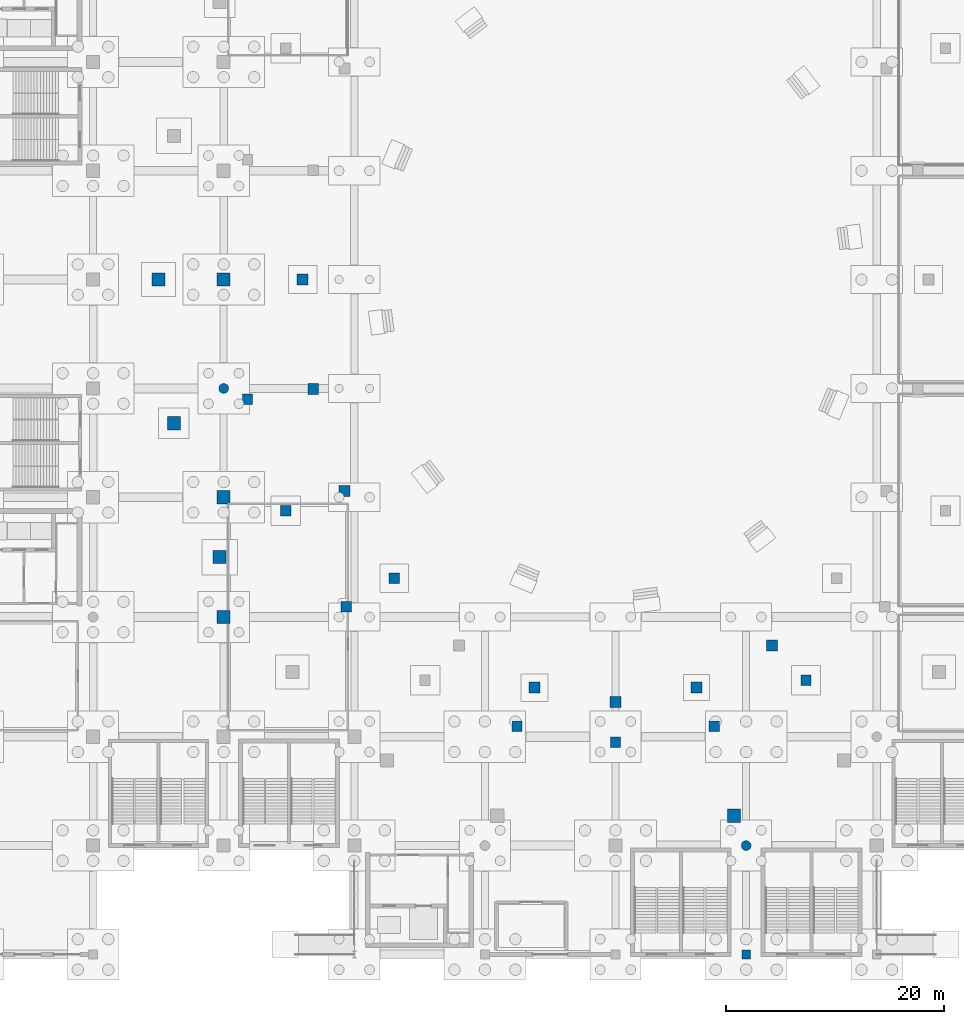
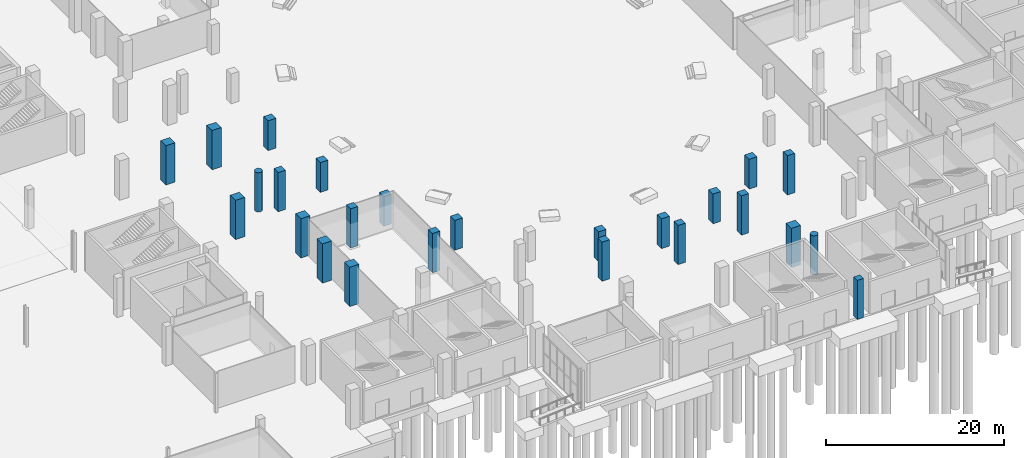
# One storey, part 15 of 70: 25 columns.
"""IFC4 building model written with IfcOpenShell, lengths in metres."""

from ifc_helpers import new_model, si_unit, direction, frame, origin, origin_2d, place, context, subcontext, project, spatial, rectangle, circle, extrude, material, material_profile, profile_set, type_object, element, save


model = new_model("IFC4")

# Units and contexts
model_context = context("Model", 3, precision=1e-05, world=origin(), true_north=direction((0.0, 1.0)))
body_context = subcontext(model_context, "Body", "Model", "MODEL_VIEW")
ifc_project = project(units=[si_unit("LENGTHUNIT", "METRE"), si_unit("AREAUNIT", "SQUARE_METRE"), si_unit("VOLUMEUNIT", "CUBIC_METRE"), si_unit("PLANEANGLEUNIT", "RADIAN"), si_unit("MASSUNIT", "GRAM", prefix="KILO")], contexts=[model_context])

# Site, building, storey
site_placement = place(None, origin())
site = spatial("IfcSite", under=ifc_project, at=site_placement, CompositionType="ELEMENT")
building_placement = place(site_placement, origin())
building = spatial("IfcBuilding", under=site, at=building_placement, Name="Brinegate Civic Arena", CompositionType="ELEMENT")
storey_placement = place(building_placement, origin())
storey = spatial("IfcBuildingStorey", under=building, at=storey_placement, Name="L00", CompositionType="ELEMENT", Elevation=0.0)

# Columns
ifc_material = material(Name="Concrete C50/60", Category="concrete")
ifc_material_profile_1 = material_profile(ifc_material, rectangle(XDim=1.199951171875, YDim=1.199951171875, at=origin_2d()), Name="RC1200X1200")
ifc_profile_set_1 = profile_set([ifc_material_profile_1], Name="Concrete C50/60")
column_type_1 = type_object("IfcColumnType", Name="COL-CC01-1200", PredefinedType="COLUMN", material=ifc_profile_set_1)
for number, where, z_axis, x_axis, name in (
    (1, (72.0, 31.0, 0.0), (0.0, 0.0, 1.0), (1.0, 0.0, 0.0), "Column COL-L00-7-D"),
    (2, (72.0, 42.0, 0.0), (0.0, 0.0, 1.0), (1.0, 0.0, 0.0), "Column COL-L00-7-E"),
    (3, (72.0, 62.0, 0.0), (0.0, 0.0, 1.0), (1.0, 0.0, 0.0), "Column COL-L00-7-G"),
    (4, (66.0, 62.0, 0.0), (0.0, 0.0, 1.0), (1.0, 0.0, 0.0), "Bowl Raker Column OUT-13-L00"),
    (5, (67.430908203125, 48.800048828125, 0.0), (0.0, 0.0, 1.0), (1.0, 0.0, 0.0), "Bowl Raker Column OUT-14-L00"),
    (6, (71.626953125, 36.5, 0.0), (0.0, 0.0, 1.0), (1.0, 0.0, 0.0), "Bowl Raker Column OUT-15-L00"),
    (7, (118.8701171875, 12.738037109375, 0.0), (0.0, 0.0, 1.0), (1.0, 0.0, 0.0), "Bowl Raker Column OUT-20-L00"),
):
    element("IfcColumn", number, at=place(storey_placement, frame(where, z_axis=z_axis, x_axis=x_axis)), inside=storey, type_object=column_type_1, Name=name, PredefinedType="COLUMN", context=body_context, shape_type="SweptSolid", body=[
        extrude(rectangle(XDim=1.199951171875, YDim=1.199951171875, at=origin_2d()), origin(), (0.0, 0.0, 1.0), 5.39990234375),
    ])
ifc_material_profile_2 = material_profile(ifc_material, rectangle(XDim=1.0, YDim=1.0, at=origin_2d()), Name="RC1000X1000")
ifc_profile_set_2 = profile_set([ifc_material_profile_2], Name="Concrete C50/60")
column_type_2 = type_object("IfcColumnType", Name="COL-CC03-1000", PredefinedType="COLUMN", material=ifc_profile_set_2)
for number, where, z_axis, x_axis, name in (
    (8, (79.25, 62.0, 0.0), (0.0, 0.0, 1.0), (1.0, 0.0, 0.0), "Bowl Raker Column MID-13"),
    (9, (80.22998046875, 51.955078125, 0.0), (0.0, 0.0, 1.0), (1.0, 0.0, 0.0), "Bowl Raker Column MID-14"),
    (10, (83.10205078125, 42.593994140625, 0.0), (0.0, 0.0, 1.0), (1.0, 0.0, 0.0), "Bowl Raker Column MID-15"),
    (11, (87.6708984375, 34.555908203125, 0.0), (0.0, 0.0, 1.0), (1.0, 0.0, 0.0), "Bowl Raker Column MID-16"),
    (12, (100.55908203125, 24.510009765625, 0.0), (0.0, 0.0, 1.0), (1.0, 0.0, 0.0), "Bowl Raker Column MID-18"),
    (13, (108.0, 23.18798828125, 0.0), (0.0, 0.0, 1.0), (1.0, 0.0, 0.0), "Bowl Raker Column MID-19"),
    (14, (115.44091796875, 24.510009765625, 0.0), (0.0, 0.0, 1.0), (1.0, 0.0, 0.0), "Bowl Raker Column MID-20"),
    (15, (122.375, 28.387939453125, 0.0), (0.0, 0.0, 1.0), (1.0, 0.0, 0.0), "Bowl Raker Column MID-21"),
):
    element("IfcColumn", number, at=place(storey_placement, frame(where, z_axis=z_axis, x_axis=x_axis)), inside=storey, type_object=column_type_2, Name=name, PredefinedType="COLUMN", context=body_context, shape_type="SweptSolid", body=[
        extrude(rectangle(XDim=1.0, YDim=1.0, at=origin_2d()), origin(), (0.0, 0.0, 1.0), 4.10009765625),
    ])
ifc_material_profile_3 = material_profile(ifc_material, rectangle(XDim=0.949951171875, YDim=0.949951171875, at=origin_2d()), Name="RC950X950")
ifc_profile_set_3 = profile_set([ifc_material_profile_3], Name="Concrete C50/60")
column_type_3 = type_object("IfcColumnType", Name="COL-CC04-950", PredefinedType="COLUMN", material=ifc_profile_set_3)
for number, where, z_axis, x_axis, name in (
    (16, (74.193115234375, 51.0, 0.0), (0.0, 0.0, 1.0), (1.0, 0.0, 0.0), "Upper Raker Inner Column UIN-14-L00"),
    (17, (77.68896484375, 40.75, 0.0), (0.0, 0.0, 1.0), (1.0, 0.0, 0.0), "Upper Raker Inner Column UIN-15-L00"),
    (18, (83.2509765625, 31.947998046875, 0.0), (0.0, 0.0, 1.0), (1.0, 0.0, 0.0), "Upper Raker Inner Column UIN-16-L00"),
    (19, (98.94091796875, 20.947998046875, 0.0), (0.0, 0.0, 1.0), (1.0, 0.0, 0.0), "Upper Raker Inner Column UIN-18-L00"),
    (20, (108.0, 19.5, 0.0), (0.0, 0.0, 1.0), (1.0, 0.0, 0.0), "Upper Raker Inner Column UIN-19-L00"),
    (21, (117.05908203125, 20.947998046875, 0.0), (0.0, 0.0, 1.0), (1.0, 0.0, 0.0), "Upper Raker Inner Column UIN-20-L00"),
    (22, (125.5, 25.194091796875, 0.0), (0.0, 0.0, 1.0), (1.0, 0.0, 0.0), "Upper Raker Inner Column UIN-21-L00"),
):
    element("IfcColumn", number, at=place(storey_placement, frame(where, z_axis=z_axis, x_axis=x_axis)), inside=storey, type_object=column_type_3, Name=name, PredefinedType="COLUMN", context=body_context, shape_type="SweptSolid", body=[
        extrude(rectangle(XDim=0.949951171875, YDim=0.949951171875, at=origin_2d()), origin(), (0.0, 0.0, 1.0), 5.39990234375),
    ])
ifc_material_profile_4 = material_profile(ifc_material, rectangle(XDim=0.800048828125, YDim=0.800048828125, at=origin_2d()), Name="RC800X800")
ifc_profile_set_4 = profile_set([ifc_material_profile_4], Name="Concrete C50/60")
column_type_4 = type_object("IfcColumnType", Name="COL-CC07-800", PredefinedType="COLUMN", material=ifc_profile_set_4)
column_placement = place(storey_placement, frame((120.0, 0.0, 0.0), z_axis=(0.0, 0.0, 1.0), x_axis=(1.0, 0.0, 0.0)))
element("IfcColumn", 23, at=column_placement, inside=storey, type_object=column_type_4, Name="Column COL-L00-11-A", PredefinedType="COLUMN", context=body_context, shape_type="SweptSolid", body=[
    extrude(rectangle(XDim=0.800048828125, YDim=0.800048828125, at=origin_2d()), origin(), (0.0, 0.0, 1.0), 5.39990234375),
])
ifc_material_profile_5 = material_profile(ifc_material, circle(Radius=0.449951171875, at=origin_2d()), Name="RCD900")
ifc_profile_set_5 = profile_set([ifc_material_profile_5], Name="Concrete C50/60")
column_type_5 = type_object("IfcColumnType", Name="COL-CC12-D900", PredefinedType="COLUMN", material=ifc_profile_set_5)
for number, where, z_axis, x_axis, name in (
    (24, (72.0, 52.0, 0.0), (0.0, 0.0, 1.0), (1.0, 0.0, 0.0), "Column COL-L00-7-F"),
    (25, (120.0, 10.0, 0.0), (0.0, 0.0, 1.0), (1.0, 0.0, 0.0), "Column COL-L00-11-B"),
):
    element("IfcColumn", number, at=place(storey_placement, frame(where, z_axis=z_axis, x_axis=x_axis)), inside=storey, type_object=column_type_5, Name=name, PredefinedType="COLUMN", context=body_context, shape_type="SweptSolid", body=[
        extrude(circle(Radius=0.449951171875, at=origin_2d()), origin(), (0.0, 0.0, 1.0), 5.39990234375),
    ])

save(model, "model.ifc")
